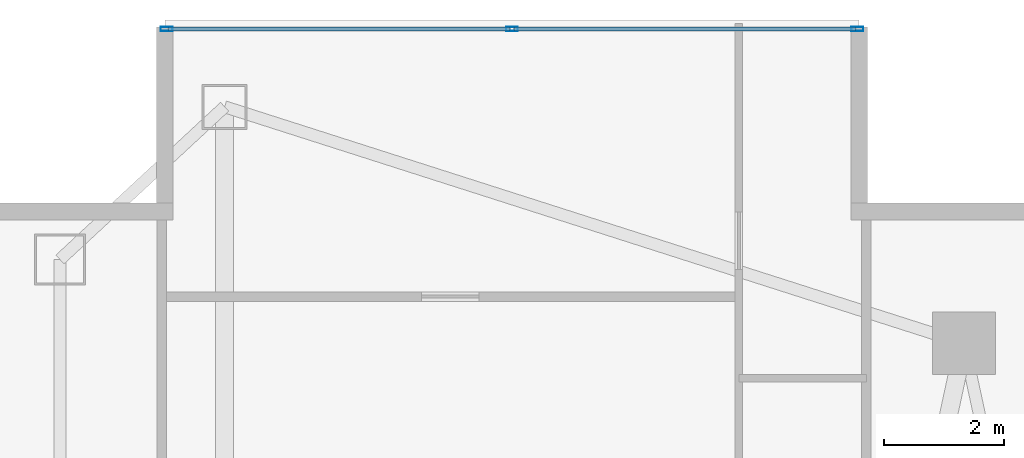
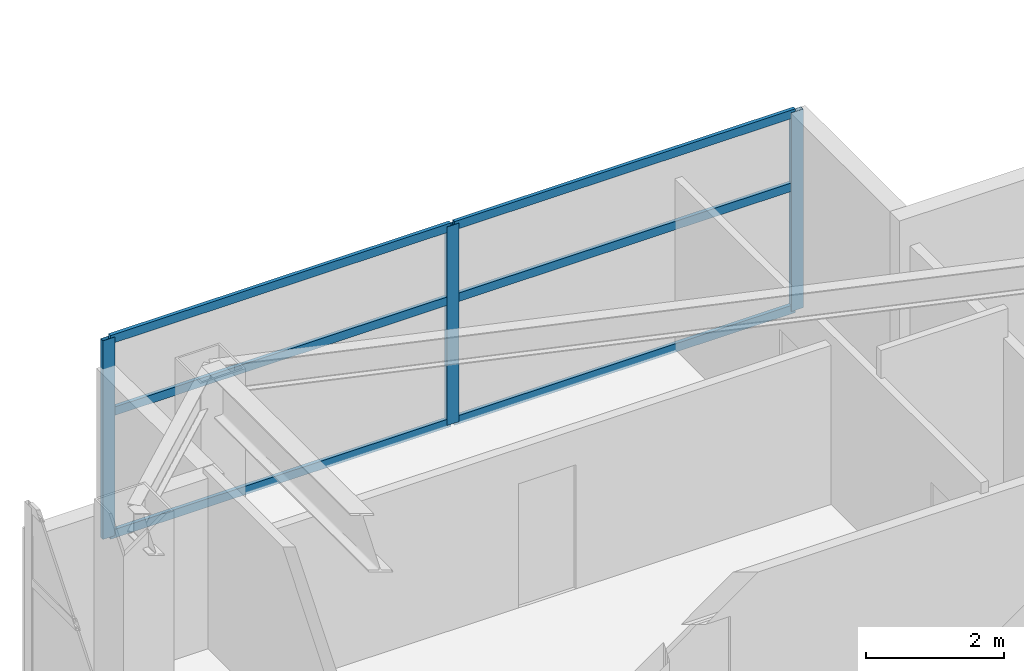
# One storey, part 19 of 28: 9 members, 1 element without a shape of its own.
"""IFC4 building model written with IfcOpenShell, lengths in metres."""

from ifc_helpers import new_model, si_unit, direction, frame, origin, origin_2d, place, context, subcontext, project, spatial, hollow_rectangle, extrude, material, layer, layer_set, material_profile, profile_set, type_object, element, aggregate, save


model = new_model("IFC4")

# Units and contexts
model_context = context("Model", 3, precision=1e-05, world=origin(), true_north=direction((0.0, 1.0)))
body_context = subcontext(model_context, "Body", "Model", "MODEL_VIEW")
ifc_project = project(units=[si_unit("LENGTHUNIT", "METRE"), si_unit("AREAUNIT", "SQUARE_METRE"), si_unit("VOLUMEUNIT", "CUBIC_METRE"), si_unit("PLANEANGLEUNIT", "RADIAN"), si_unit("MASSUNIT", "GRAM", prefix="KILO")], contexts=[model_context])

# Site, building, storey
site_placement = place(None, origin())
site = spatial("IfcSite", under=ifc_project, at=site_placement, CompositionType="ELEMENT")
building_placement = place(site_placement, origin())
building = spatial("IfcBuilding", under=site, at=building_placement, Name="Calvorn Quay Hotel", CompositionType="ELEMENT")
storey_placement = place(building_placement, frame((0.0, 0.0, 135.39990234375)))
storey = spatial("IfcBuildingStorey", under=building, at=storey_placement, Name="L33", CompositionType="ELEMENT", Elevation=135.39990234375)

# Curtain wall, members
ifc_material_1 = material(Name="Pale Anodised Aluminium and Low-E Glass", Category="aluminium")
ifc_layer = layer(ifc_material_1, 0.219970703125)
ifc_layer_set = layer_set([ifc_layer], Name="CW-SYS-Z2")
curtain_wall_type = type_object("IfcCurtainWallType", Name="CW-SYS-Z2", PredefinedType="NOTDEFINED", material=ifc_layer_set)
curtain_wall_placement = place(storey_placement, origin())
curtain_wall = element("IfcCurtainWall", 1, at=curtain_wall_placement, inside=storey, type_object=curtain_wall_type, Name="Inner Court Curtain Wall L33-N1", PredefinedType="NOTDEFINED")
ifc_material_2 = material(Name="Pale Anodised Aluminium 6063-T6", Category="aluminium")
ifc_material_profile_1 = material_profile(ifc_material_2, hollow_rectangle(XDim=0.070068359375, YDim=0.199951171875, WallThickness=0.00390625, at=origin_2d()), Name="ALU-M200x70x4")
ifc_profile_set_1 = profile_set([ifc_material_profile_1], Name="Pale Anodised Aluminium 6063-T6")
member_type_1 = type_object("IfcMemberType", Name="CW-SYS-Z2-MUL", PredefinedType="MULLION", material=ifc_profile_set_1)
member_1_placement = place(storey_placement, frame((14.77001953125, 50.85009765625, 0.0), z_axis=(0.0, 0.0, 1.0), x_axis=(0.0, -1.0, 0.0)))
member_1 = element("IfcMember", 2, at=member_1_placement, type_object=member_type_1, Name="CW-L33-N1 mullion 1", PredefinedType="MULLION", context=body_context, shape_type="SweptSolid", body=[
    extrude(hollow_rectangle(XDim=0.070068359375, YDim=0.199951171875, WallThickness=0.00390625, at=origin_2d()), origin(), (0.0, 0.0, 1.0), 3.52001953125),
])
member_2_placement = place(storey_placement, frame((9.0, 50.85009765625, 0.0), z_axis=(0.0, 0.0, 1.0), x_axis=(0.0, -1.0, 0.0)))
member_2 = element("IfcMember", 3, at=member_2_placement, type_object=member_type_1, Name="CW-L33-N1 mullion 2", PredefinedType="MULLION", context=body_context, shape_type="SweptSolid", body=[
    extrude(hollow_rectangle(XDim=0.070068359375, YDim=0.199951171875, WallThickness=0.00390625, at=origin_2d()), origin(), (0.0, 0.0, 1.0), 3.52001953125),
])
member_3_placement = place(storey_placement, frame((3.22998046875, 50.85009765625, 0.0), z_axis=(0.0, 0.0, 1.0), x_axis=(0.0, -1.0, 0.0)))
member_3 = element("IfcMember", 4, at=member_3_placement, type_object=member_type_1, Name="CW-L33-N1 mullion 3", PredefinedType="MULLION", context=body_context, shape_type="SweptSolid", body=[
    extrude(hollow_rectangle(XDim=0.070068359375, YDim=0.199951171875, WallThickness=0.00390625, at=origin_2d()), origin(), (0.0, 0.0, 1.0), 3.52001953125),
])
ifc_material_3 = material(Name="Pale Anodised Aluminium 6063-T6", Category="aluminium")
ifc_material_profile_2 = material_profile(ifc_material_3, hollow_rectangle(XDim=0.06005859375, YDim=0.14990234375, WallThickness=0.00341796875, at=origin_2d()), Name="ALU-T150x60x3.5")
ifc_profile_set_2 = profile_set([ifc_material_profile_2], Name="Pale Anodised Aluminium 6063-T6")
member_type_2 = type_object("IfcMemberType", Name="CW-SYS-Z2-TRN", PredefinedType="USERDEFINED", material=ifc_profile_set_2)
member_4_placement = place(storey_placement, frame((14.739990234375, 50.85009765625, 0.030029296875), z_axis=(-1.0, 0.0, 0.0), x_axis=(0.0, -1.0, 0.0)))
member_4 = element("IfcMember", 5, at=member_4_placement, type_object=member_type_2, Name="CW-L33-N1 transom 1.1", ObjectType="TRANSOM", PredefinedType="USERDEFINED", context=body_context, shape_type="SweptSolid", body=[
    extrude(hollow_rectangle(XDim=0.06005859375, YDim=0.14990234375, WallThickness=0.00341796875, at=origin_2d()), origin(), (0.0, 0.0, 1.0), 5.7099609375),
])
member_5_placement = place(storey_placement, frame((14.739990234375, 50.85009765625, 2.2001953125), z_axis=(-1.0, 0.0, 0.0), x_axis=(0.0, -1.0, 0.0)))
member_5 = element("IfcMember", 6, at=member_5_placement, type_object=member_type_2, Name="CW-L33-N1 transom 1.2", ObjectType="TRANSOM", PredefinedType="USERDEFINED", context=body_context, shape_type="SweptSolid", body=[
    extrude(hollow_rectangle(XDim=0.06005859375, YDim=0.14990234375, WallThickness=0.00341796875, at=origin_2d()), origin(), (0.0, 0.0, 1.0), 5.7099609375),
])
member_6_placement = place(storey_placement, frame((14.739990234375, 50.85009765625, 3.489990234375), z_axis=(-1.0, 0.0, 0.0), x_axis=(0.0, -1.0, 0.0)))
member_6 = element("IfcMember", 7, at=member_6_placement, type_object=member_type_2, Name="CW-L33-N1 transom 1.3", ObjectType="TRANSOM", PredefinedType="USERDEFINED", context=body_context, shape_type="SweptSolid", body=[
    extrude(hollow_rectangle(XDim=0.06005859375, YDim=0.14990234375, WallThickness=0.00341796875, at=origin_2d()), origin(), (0.0, 0.0, 1.0), 5.7099609375),
])
member_7_placement = place(storey_placement, frame((8.969970703125, 50.85009765625, 0.030029296875), z_axis=(-1.0, 0.0, 0.0), x_axis=(0.0, -1.0, 0.0)))
member_7 = element("IfcMember", 8, at=member_7_placement, type_object=member_type_2, Name="CW-L33-N1 transom 2.1", ObjectType="TRANSOM", PredefinedType="USERDEFINED", context=body_context, shape_type="SweptSolid", body=[
    extrude(hollow_rectangle(XDim=0.06005859375, YDim=0.14990234375, WallThickness=0.00341796875, at=origin_2d()), origin(), (0.0, 0.0, 1.0), 5.7099609375),
])
member_8_placement = place(storey_placement, frame((8.969970703125, 50.85009765625, 2.2001953125), z_axis=(-1.0, 0.0, 0.0), x_axis=(0.0, -1.0, 0.0)))
member_8 = element("IfcMember", 9, at=member_8_placement, type_object=member_type_2, Name="CW-L33-N1 transom 2.2", ObjectType="TRANSOM", PredefinedType="USERDEFINED", context=body_context, shape_type="SweptSolid", body=[
    extrude(hollow_rectangle(XDim=0.06005859375, YDim=0.14990234375, WallThickness=0.00341796875, at=origin_2d()), origin(), (0.0, 0.0, 1.0), 5.7099609375),
])
member_9_placement = place(storey_placement, frame((8.969970703125, 50.85009765625, 3.489990234375), z_axis=(-1.0, 0.0, 0.0), x_axis=(0.0, -1.0, 0.0)))
member_9 = element("IfcMember", 10, at=member_9_placement, type_object=member_type_2, Name="CW-L33-N1 transom 2.3", ObjectType="TRANSOM", PredefinedType="USERDEFINED", context=body_context, shape_type="SweptSolid", body=[
    extrude(hollow_rectangle(XDim=0.06005859375, YDim=0.14990234375, WallThickness=0.00341796875, at=origin_2d()), origin(), (0.0, 0.0, 1.0), 5.7099609375),
])
aggregate(curtain_wall, [member_1, member_2, member_3, member_4, member_5, member_6, member_7, member_8, member_9])

save(model, "model.ifc")
